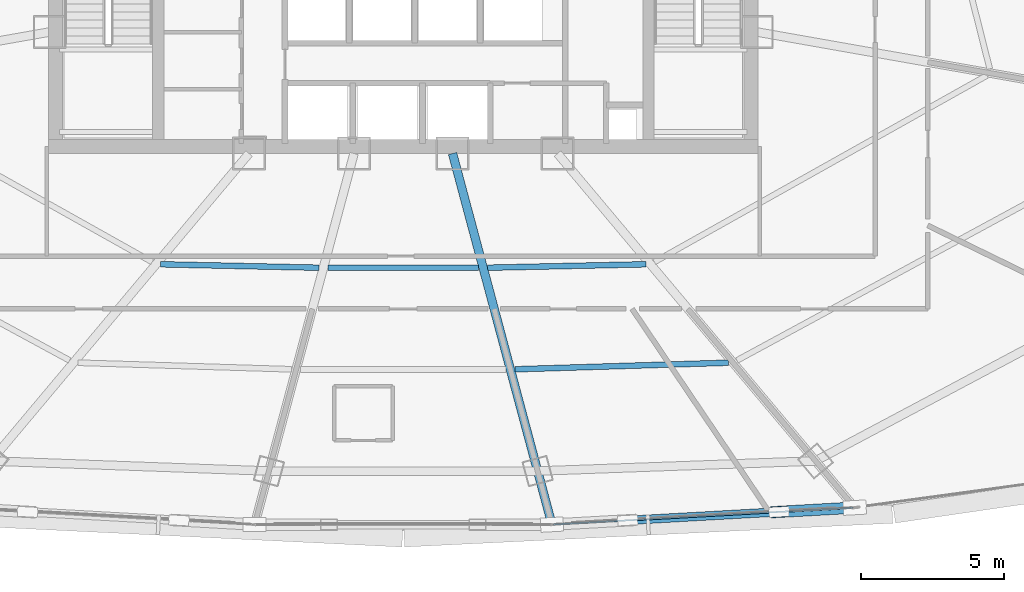
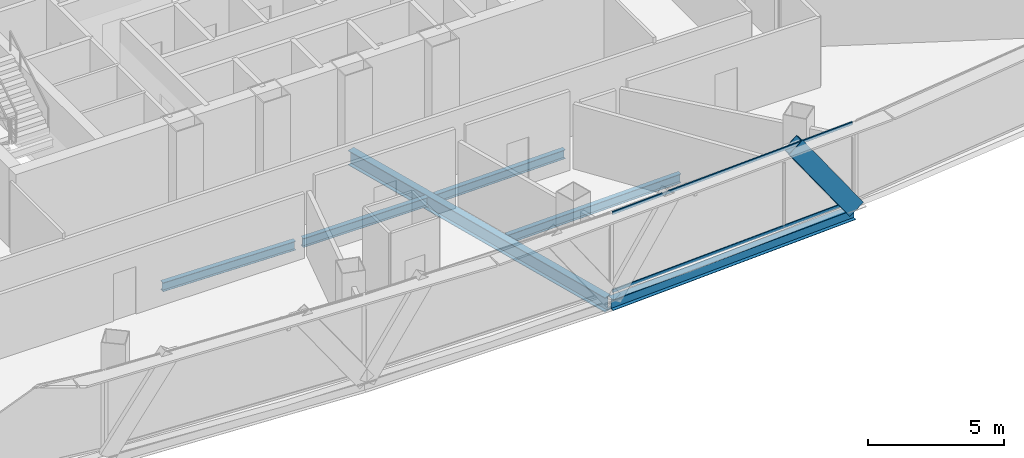
# One storey, part 13 of 37: 6 beams, 3 members, 1 element without a shape of its own.
"""IFC4 building model written with IfcOpenShell, lengths in metres."""

from ifc_helpers import new_model, si_unit, direction, frame, origin, origin_2d, place, context, subcontext, project, spatial, hollow_rectangle, i_section, extrude, source, transform, mapped, material, layer, layer_set, material_profile, profile_set, type_object, element, aggregate, save


model = new_model("IFC4")

# Units and contexts
model_context = context("Model", 3, precision=1e-05, world=origin(), true_north=direction((0.0, 1.0)))
body_context = subcontext(model_context, "Body", "Model", "MODEL_VIEW")
ifc_project = project(units=[si_unit("LENGTHUNIT", "METRE"), si_unit("AREAUNIT", "SQUARE_METRE"), si_unit("VOLUMEUNIT", "CUBIC_METRE"), si_unit("PLANEANGLEUNIT", "RADIAN"), si_unit("MASSUNIT", "GRAM", prefix="KILO"), si_unit("THERMODYNAMICTEMPERATUREUNIT", "KELVIN"), si_unit("POWERUNIT", "WATT")], contexts=[model_context])

# Site, building, storey
site_placement = place(None, origin())
site = spatial("IfcSite", under=ifc_project, at=site_placement, CompositionType="ELEMENT")
building_placement = place(site_placement, origin())
building = spatial("IfcBuilding", under=site, at=building_placement, Name="Yunzhuo Pagoda Commons", CompositionType="ELEMENT")
storey_placement = place(building_placement, frame((0.0, 0.0, 192.360107421875)))
storey = spatial("IfcBuildingStorey", under=building, at=storey_placement, Name="L48", CompositionType="ELEMENT", Elevation=192.360107421875)

# Beams
ifc_material_1 = material(Name="Structural steel Q355B", Category="steel")
ifc_material_profile_1 = material_profile(ifc_material_1, i_section(OverallWidth=0.199951171875, OverallDepth=0.39990234375, WebThickness=0.008056640625, FlangeThickness=0.012939453125, at=origin_2d()), Name="Structural steel Q355B")
ifc_profile_set_1 = profile_set([ifc_material_profile_1], Name="Structural steel Q355B")
beam_type_1 = type_object("IfcBeamType", Name="B-JS1 Joist HN 400x200x8x13", PredefinedType="JOIST", material=ifc_profile_set_1)
shared_shape_1 = source(origin(), body_context, "Body", "SweptSolid", [
    extrude(i_section(OverallWidth=0.199951171875, OverallDepth=0.39990234375, WebThickness=0.008056640625, FlangeThickness=0.012939453125, at=origin_2d()), origin(), (0.0, 0.0, 1.0), 5.550537109375),
])
for number, where, z_axis, x_axis, name in (
    (1, (39.489013671875, 23.3642578125, -0.460205078125), (0.99976582056, -0.021640333643, 0.0), (0.021640333643, 0.99976582056, 0.0), "L48 composite ring joist 1.1"),
    (2, (50.961669921875, 23.244140625, -0.460205078125), (0.99976582056, 0.021640333643, 0.0), (-0.021640333643, 0.99976582056, 0.0), "L48 composite ring joist 1.3"),
):
    element("IfcBeam", number, at=place(storey_placement, frame(where, z_axis=z_axis, x_axis=x_axis)), inside=storey, type_object=beam_type_1, Name=name, PredefinedType="JOIST", context=body_context, shape_type="MappedRepresentation", body=[
        mapped(shared_shape_1, transform((0.0, 0.0, 0.0), scale=1.0)),
    ])
shared_shape_2 = source(origin(), body_context, "Body", "SweptSolid", [
    extrude(i_section(OverallWidth=0.199951171875, OverallDepth=0.39990234375, WebThickness=0.008056640625, FlangeThickness=0.012939453125, at=origin_2d()), origin(), (0.0, 0.0, 1.0), 7.49365234375),
])
beam_1_placement = place(storey_placement, frame((51.91650390625, 19.68115234375, -0.460205078125), z_axis=(0.99952593018, 0.030788226605, 0.0), x_axis=(-0.030788226605, 0.99952593018, 0.0)))
element("IfcBeam", 3, at=beam_1_placement, inside=storey, type_object=beam_type_1, Name="L48 composite ring joist 2.3", PredefinedType="JOIST", context=body_context, shape_type="MappedRepresentation", body=[
    mapped(shared_shape_2, transform((0.0, 0.0, 0.0), scale=1.0)),
])
shared_shape_3 = source(origin(), body_context, "Body", "SweptSolid", [
    extrude(i_section(OverallWidth=0.199951171875, OverallDepth=0.39990234375, WebThickness=0.008056640625, FlangeThickness=0.012939453125, at=origin_2d()), origin(), (0.0, 0.0, 1.0), 5.287109375),
])
beam_2_placement = place(storey_placement, frame((45.3564453125, 23.24072265625, -0.460205078125), z_axis=(1.0, 0.0, 0.0), x_axis=(0.0, 1.0, 0.0)))
element("IfcBeam", 4, at=beam_2_placement, inside=storey, type_object=beam_type_1, Name="L48 composite ring joist 1.2", PredefinedType="JOIST", context=body_context, shape_type="MappedRepresentation", body=[
    mapped(shared_shape_3, transform((0.0, 0.0, 0.0), scale=1.0)),
])
ifc_material_profile_2 = material_profile(ifc_material_1, i_section(OverallWidth=0.300048828125, OverallDepth=0.64990234375, WebThickness=0.012939453125, FlangeThickness=0.02197265625, at=origin_2d()), Name="Structural steel Q355B")
ifc_profile_set_2 = profile_set([ifc_material_profile_2], Name="Structural steel Q355B")
beam_type_2 = type_object("IfcBeamType", Name="B-RG2 Beam HN 650x300x13x22", PredefinedType="BEAM", material=ifc_profile_set_2)
shared_shape_4 = source(origin(), body_context, "Body", "SweptSolid", [
    extrude(i_section(OverallWidth=0.300048828125, OverallDepth=0.64990234375, WebThickness=0.012939453125, FlangeThickness=0.02197265625, at=origin_2d()), origin(), (0.0, 0.0, 1.0), 13.320556640625),
])
beam_3_placement = place(storey_placement, frame((53.17578125, 14.38330078125, -0.585205078125), z_axis=(-0.258794106772, 0.96593250815, 0.0), x_axis=(-0.96593250815, -0.258794106772, 0.0)))
element("IfcBeam", 5, at=beam_3_placement, inside=storey, type_object=beam_type_2, Name="L48 radial floor girder F1C3", PredefinedType="BEAM", context=body_context, shape_type="MappedRepresentation", body=[
    mapped(shared_shape_4, transform((0.0, 0.0, 0.0), scale=1.0)),
])
ifc_material_profile_3 = material_profile(ifc_material_1, i_section(OverallWidth=0.300048828125, OverallDepth=0.488037109375, WebThickness=0.010986328125, FlangeThickness=0.01806640625, at=origin_2d()), Name="Structural steel Q355B")
ifc_profile_set_3 = profile_set([ifc_material_profile_3], Name="Structural steel Q355B")
beam_type_3 = type_object("IfcBeamType", Name="B-SP1 Beam HM 488x300x11x18", PredefinedType="BEAM", material=ifc_profile_set_3)
shared_shape_5 = source(origin(), body_context, "Body", "SweptSolid", [
    extrude(i_section(OverallWidth=0.300048828125, OverallDepth=0.488037109375, WebThickness=0.010986328125, FlangeThickness=0.01806640625, at=origin_2d()), origin(), (0.0, 0.0, 1.0), 10.635009765625),
])
beam_4_placement = place(storey_placement, frame((53.21630859375, 14.233642578125, -0.504150390625), z_axis=(0.998431328375, 0.055990021611, 0.0), x_axis=(-0.055990021611, 0.998431328375, 0.0)))
element("IfcBeam", 6, at=beam_4_placement, inside=storey, type_object=beam_type_3, Name="L48 facade edge spandrel beam F1.3", PredefinedType="BEAM", context=body_context, shape_type="MappedRepresentation", body=[
    mapped(shared_shape_5, transform((0.0, 0.0, 0.0), scale=1.0)),
])

# Member
ifc_material_profile_4 = material_profile(ifc_material_1, hollow_rectangle(XDim=0.39990234375, YDim=0.719970703125, WallThickness=0.02392578125, at=origin_2d()), Name="Structural steel Q355B")
ifc_profile_set_4 = profile_set([ifc_material_profile_4], Name="Structural steel Q355B")
member_type_1 = type_object("IfcMemberType", Name="M-DL2 Brace BOX 720x400x24", PredefinedType="BRACE", material=ifc_profile_set_4)
shared_shape_6 = source(origin(), body_context, "Body", "SweptSolid", [
    extrude(hollow_rectangle(XDim=0.39990234375, YDim=0.719970703125, WallThickness=0.02392578125, at=origin_2d()), origin(), (0.0, 0.0, 1.0), 4.6376953125),
])
member_1_placement = place(storey_placement, frame((63.834716796875, 14.8291015625, -0.260009765625), z_axis=(-0.57243149893, -0.032111754124, 0.819323510147), x_axis=(0.056009054545, -0.998430260864, 0.0)))
element("IfcMember", 7, at=member_1_placement, inside=storey, type_object=member_type_1, Name="L48 facade diamond brace F1.3R", PredefinedType="BRACE", context=body_context, shape_type="MappedRepresentation", body=[
    mapped(shared_shape_6, transform((0.0, 0.0, 0.0), scale=1.0)),
])

# Curtain wall, members
ifc_material_2 = material(Name="Anodized aluminium 6063-T6", Category="aluminium")
ifc_layer = layer(ifc_material_2, 0.14990234375)
ifc_layer_set = layer_set([ifc_layer], Name="Anodized aluminium 6063-T6")
curtain_wall_type = type_object("IfcCurtainWallType", Name="CW-MID Mid-Zone Ribbon Curtain Wall", PredefinedType="NOTDEFINED", material=ifc_layer_set)
curtain_wall_placement = place(storey_placement, origin())
curtain_wall = element("IfcCurtainWall", 8, at=curtain_wall_placement, inside=storey, type_object=curtain_wall_type, Name="L48 curtain wall CW-L48-F1B4", PredefinedType="NOTDEFINED")
ifc_material_profile_5 = material_profile(ifc_material_2, hollow_rectangle(XDim=0.054931640625, YDim=0.1298828125, WallThickness=0.00341796875, at=origin_2d()), Name="Anodized aluminium 6063-T6")
ifc_profile_set_5 = profile_set([ifc_material_profile_5], Name="Anodized aluminium 6063-T6")
member_type_2 = type_object("IfcMemberType", Name="CW-MID-T Transom RHS 130x55x3.5", PredefinedType="USERDEFINED", material=ifc_profile_set_5)
shared_shape_7 = source(origin(), body_context, "Body", "SweptSolid", [
    extrude(hollow_rectangle(XDim=0.054931640625, YDim=0.1298828125, WallThickness=0.00341796875, at=origin_2d()), origin(), (0.0, 0.0, 1.0), 10.515380859375),
])
member_2_placement = place(storey_placement, frame((53.27587890625, 14.2373046875, 0.02734375), z_axis=(0.998433375605, 0.055953502819, 0.0), x_axis=(-0.055953502819, 0.998433375605, 0.0)))
member_2 = element("IfcMember", 9, at=member_2_placement, type_object=member_type_2, Name="CW transom 1.1", ObjectType="TRANSOM", PredefinedType="USERDEFINED", context=body_context, shape_type="MappedRepresentation", body=[
    mapped(shared_shape_7, transform((0.0, 0.0, 0.0), scale=1.0)),
])
member_3_placement = place(storey_placement, frame((53.27587890625, 14.2373046875, 3.512451171875), z_axis=(0.998433375605, 0.055953502819, 0.0), x_axis=(-0.055953502819, 0.998433375605, 0.0)))
member_3 = element("IfcMember", 10, at=member_3_placement, type_object=member_type_2, Name="CW transom 1.2", ObjectType="TRANSOM", PredefinedType="USERDEFINED", context=body_context, shape_type="MappedRepresentation", body=[
    mapped(shared_shape_7, transform((0.0, 0.0, 0.0), scale=1.0)),
])
aggregate(curtain_wall, [member_2, member_3])

save(model, "model.ifc")
